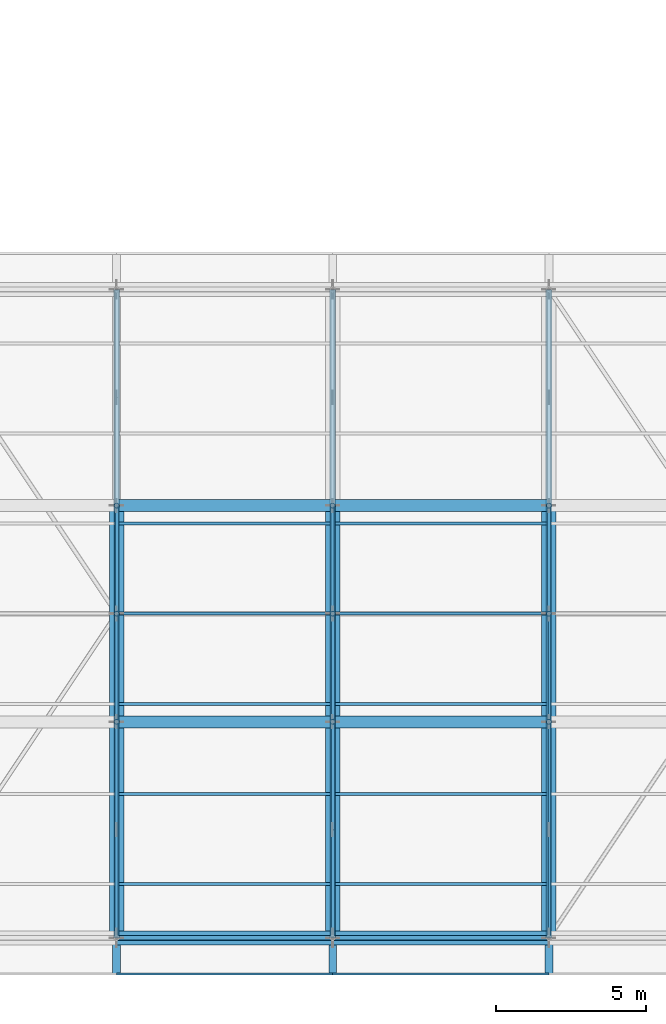
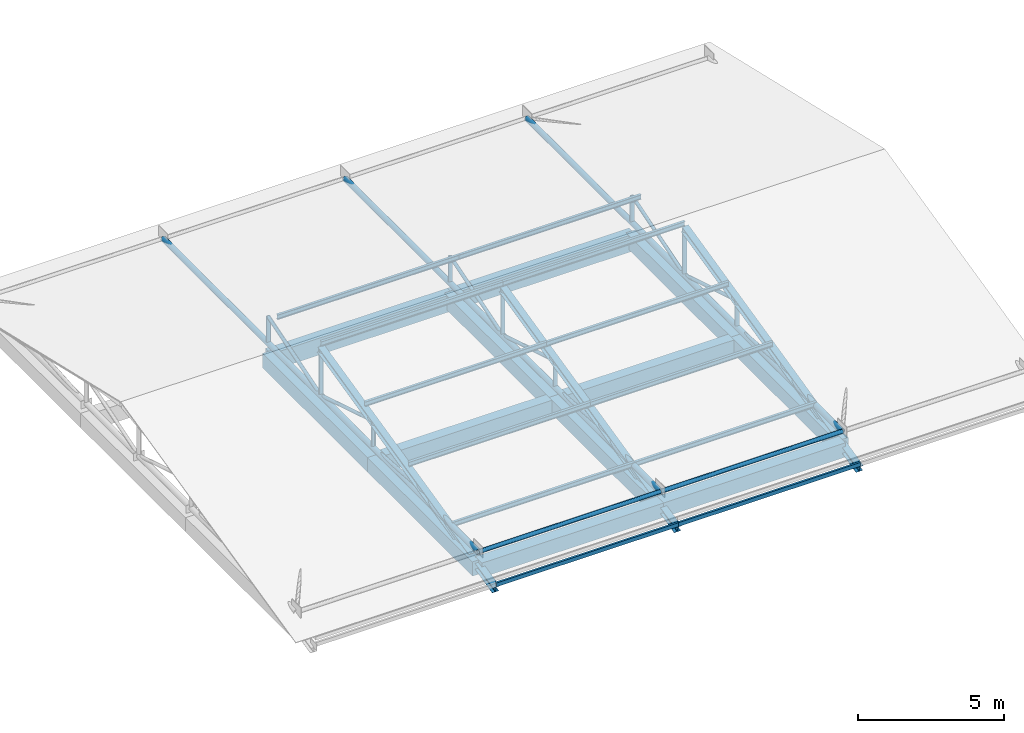
# One storey, part 19 of 84: 41 members, 12 beams.
"""IFC4 building model written with IfcOpenShell, lengths in metres."""

from ifc_helpers import new_model, si_unit, direction, frame, origin, origin_2d, place, context, subcontext, project, spatial, rectangle, hollow_rectangle, hollow_circle, i_section, extrude, material, material_profile, profile_set, type_object, element, save


model = new_model("IFC4")

# Units and contexts
model_context = context("Model", 3, precision=1e-05, world=origin(), true_north=direction((0.0, 1.0)))
body_context = subcontext(model_context, "Body", "Model", "MODEL_VIEW")
ifc_project = project(units=[si_unit("LENGTHUNIT", "METRE"), si_unit("AREAUNIT", "SQUARE_METRE"), si_unit("VOLUMEUNIT", "CUBIC_METRE"), si_unit("PLANEANGLEUNIT", "RADIAN"), si_unit("MASSUNIT", "GRAM", prefix="KILO")], contexts=[model_context])

# Site, building, storey
site_placement = place(None, origin())
site = spatial("IfcSite", under=ifc_project, at=site_placement, CompositionType="ELEMENT")
building_placement = place(site_placement, origin())
building = spatial("IfcBuilding", under=site, at=building_placement, Name="Zornivar Specialist Clinic", CompositionType="ELEMENT")
storey_placement = place(building_placement, frame((0.0, 0.0, 12.300048828125)))
storey = spatial("IfcBuildingStorey", under=building, at=storey_placement, Name="L03", CompositionType="ELEMENT", Elevation=12.300048828125)

# Beams
ifc_material_1 = material(Name="Concrete C30/37", Category="concrete")
ifc_material_profile_1 = material_profile(ifc_material_1, rectangle(XDim=0.39990234375, YDim=0.699951171875, at=origin_2d()), Name="RC 400x700")
ifc_profile_set_1 = profile_set([ifc_material_profile_1], Name="Concrete C30/37")
beam_type_1 = type_object("IfcBeamType", Name="BM-RC-400x700", PredefinedType="BEAM", material=ifc_profile_set_1)
for number, where, z_axis, x_axis, name in (
    (1, (64.800048828125, 7.199951171875, -0.35009765625), (1.0, 0.0, 0.0), (0.0, 1.0, 0.0), "bm:V3:L03:x:72:1"),
    (2, (72.0, 7.199951171875, -0.35009765625), (1.0, 0.0, 0.0), (0.0, 1.0, 0.0), "bm:V3:L03:x:72:2"),
    (3, (64.800048828125, 14.39990234375, -0.35009765625), (1.0, 0.0, 0.0), (0.0, 1.0, 0.0), "bm:V3:L03:x:144:1"),
    (4, (72.0, 14.39990234375, -0.35009765625), (1.0, 0.0, 0.0), (0.0, 1.0, 0.0), "bm:V3:L03:x:144:2"),
):
    element("IfcBeam", number, at=place(storey_placement, frame(where, z_axis=z_axis, x_axis=x_axis)), inside=storey, type_object=beam_type_1, Name=name, PredefinedType="BEAM", context=body_context, shape_type="SweptSolid", body=[
        extrude(rectangle(XDim=0.39990234375, YDim=0.699951171875, at=origin_2d()), origin(), (0.0, 0.0, 1.0), 7.199951171875),
    ])
ifc_material_2 = material(Name="Concrete C30/37", Category="concrete")
ifc_material_profile_2 = material_profile(ifc_material_2, rectangle(XDim=0.47998046875, YDim=0.60009765625, at=origin_2d()), Name="RC 480x600")
ifc_profile_set_2 = profile_set([ifc_material_profile_2], Name="Concrete C30/37")
beam_type_2 = type_object("IfcBeamType", Name="BM-RC-480x600", PredefinedType="BEAM", material=ifc_profile_set_2)
for number, where, z_axis, x_axis, name in (
    (5, (64.800048828125, 0.0, -0.300048828125), (0.0, 1.0, 0.0), (-1.0, 0.0, 0.0), "bm:V3:L03:y:648:0"),
    (6, (64.800048828125, 7.199951171875, -0.300048828125), (0.0, 1.0, 0.0), (-1.0, 0.0, 0.0), "bm:V3:L03:y:648:1"),
    (7, (72.0, 0.0, -0.300048828125), (0.0, 1.0, 0.0), (-1.0, 0.0, 0.0), "bm:V3:L03:y:720:0"),
    (8, (72.0, 7.199951171875, -0.300048828125), (0.0, 1.0, 0.0), (-1.0, 0.0, 0.0), "bm:V3:L03:y:720:1"),
    (9, (79.199951171875, 0.0, -0.300048828125), (0.0, 1.0, 0.0), (-1.0, 0.0, 0.0), "bm:V3:L03:y:792:0"),
    (10, (79.199951171875, 7.199951171875, -0.300048828125), (0.0, 1.0, 0.0), (-1.0, 0.0, 0.0), "bm:V3:L03:y:792:1"),
):
    element("IfcBeam", number, at=place(storey_placement, frame(where, z_axis=z_axis, x_axis=x_axis)), inside=storey, type_object=beam_type_2, Name=name, PredefinedType="BEAM", context=body_context, shape_type="SweptSolid", body=[
        extrude(rectangle(XDim=0.47998046875, YDim=0.60009765625, at=origin_2d()), origin(), (0.0, 0.0, 1.0), 7.199951171875),
    ])
ifc_material_3 = material(Name="Concrete C30/37", Category="concrete")
ifc_material_profile_3 = material_profile(ifc_material_3, rectangle(XDim=0.4599609375, YDim=0.60009765625, at=origin_2d()), Name="RC 460x600")
ifc_profile_set_3 = profile_set([ifc_material_profile_3], Name="Concrete C30/37")
beam_type_3 = type_object("IfcBeamType", Name="BM-RC-SPANDREL-460x600", PredefinedType="SPANDREL", material=ifc_profile_set_3)
for number, where, z_axis, x_axis, name in (
    (11, (64.800048828125, 0.0, -0.300048828125), (1.0, 0.0, 0.0), (0.0, 1.0, 0.0), "bm:V3:L03:x:0:1"),
    (12, (72.0, 0.0, -0.300048828125), (1.0, 0.0, 0.0), (0.0, 1.0, 0.0), "bm:V3:L03:x:0:2"),
):
    element("IfcBeam", number, at=place(storey_placement, frame(where, z_axis=z_axis, x_axis=x_axis)), inside=storey, type_object=beam_type_3, Name=name, PredefinedType="SPANDREL", context=body_context, shape_type="SweptSolid", body=[
        extrude(rectangle(XDim=0.4599609375, YDim=0.60009765625, at=origin_2d()), origin(), (0.0, 0.0, 1.0), 7.199951171875),
    ])

# Members
ifc_material_4 = material(Name="Steel S355J2", Category="steel")
ifc_material_profile_4 = material_profile(ifc_material_4, hollow_circle(Radius=0.109619140625, WallThickness=0.012451171875, at=origin_2d()), Name="CHS 219.1x12.5")
ifc_profile_set_4 = profile_set([ifc_material_profile_4], Name="Steel S355J2")
member_type_1 = type_object("IfcMemberType", Name="MEM-CHORD-CHS219", PredefinedType="CHORD", material=ifc_profile_set_4)
for number, where, z_axis, x_axis, name in (
    (13, (64.800048828125, 0.0, 0.33984375), (0.0, 1.0, 0.0), (-1.0, 0.0, 0.0), "mem:V3:L03:bchord:1"),
    (14, (72.0, 0.0, 0.33984375), (0.0, 1.0, 0.0), (-1.0, 0.0, 0.0), "mem:V3:L03:bchord:2"),
    (15, (79.199951171875, 0.0, 0.33984375), (0.0, 1.0, 0.0), (-1.0, 0.0, 0.0), "mem:V3:L03:bchord:3"),
):
    element("IfcMember", number, at=place(storey_placement, frame(where, z_axis=z_axis, x_axis=x_axis)), inside=storey, type_object=member_type_1, Name=name, PredefinedType="CHORD", context=body_context, shape_type="SweptSolid", body=[
        extrude(hollow_circle(Radius=0.109619140625, WallThickness=0.012451171875, at=origin_2d()), origin(), (0.0, 0.0, 1.0), 21.60009765625),
    ])
ifc_material_5 = material(Name="Steel S355J2", Category="steel")
ifc_material_profile_5 = material_profile(ifc_material_5, i_section(OverallWidth=0.260009765625, OverallDepth=0.25, WebThickness=0.007568359375, FlangeThickness=0.012451171875, FilletRadius=0.02392578125, at=origin_2d()), Name="HEA 260")
ifc_profile_set_5 = profile_set([ifc_material_profile_5], Name="Steel S355J2")
member_type_2 = type_object("IfcMemberType", Name="MEM-CHORD-HEA260", PredefinedType="CHORD", material=ifc_profile_set_5)
for number, where, z_axis, x_axis, name in (
    (16, (64.800048828125, -1.199951171875, -0.510009765625), (0.0, 0.973840332876, 0.227233373571), (-1.0, 0.0, 0.0), "mem:V3:L03:rafS:1"),
    (17, (72.0, -1.199951171875, -0.510009765625), (0.0, 0.973840332876, 0.227233373571), (-1.0, 0.0, 0.0), "mem:V3:L03:rafS:2"),
    (18, (79.199951171875, -1.199951171875, -0.510009765625), (0.0, 0.973840332876, 0.227233373571), (-1.0, 0.0, 0.0), "mem:V3:L03:rafS:3"),
):
    element("IfcMember", number, at=place(storey_placement, frame(where, z_axis=z_axis, x_axis=x_axis)), inside=storey, type_object=member_type_2, Name=name, PredefinedType="CHORD", context=body_context, shape_type="SweptSolid", body=[
        extrude(i_section(OverallWidth=0.260009765625, OverallDepth=0.25, WebThickness=0.007568359375, FlangeThickness=0.012451171875, FilletRadius=0.02392578125, at=origin_2d()), origin(), (0.0, 0.0, 1.0), 12.322265625),
    ])
ifc_material_6 = material(Name="Steel S355J2", Category="steel")
ifc_material_profile_6 = material_profile(ifc_material_6, hollow_circle(Radius=0.06982421875, WallThickness=0.008056640625, at=origin_2d()), Name="CHS 139.7x8")
ifc_profile_set_6 = profile_set([ifc_material_profile_6], Name="Steel S355J2")
member_type_3 = type_object("IfcMemberType", Name="MEM-DIAG-CHS140", PredefinedType="BRACE", material=ifc_profile_set_6)
member_1_placement = place(storey_placement, frame((64.800048828125, 10.800048828125, 0.33984375), z_axis=(0.0, -0.955600885264, 0.29466412758), x_axis=(1.0, 0.0, 0.0)))
element("IfcMember", 19, at=member_1_placement, inside=storey, type_object=member_type_3, Name="mem:V3:L03:diag:1:S:0", PredefinedType="BRACE", context=body_context, shape_type="SweptSolid", body=[
    extrude(hollow_circle(Radius=0.06982421875, WallThickness=0.008056640625, at=origin_2d()), origin(), (0.0, 0.0, 1.0), 3.767333984375),
])
member_2_placement = place(storey_placement, frame((64.800048828125, 7.199951171875, 0.33984375), z_axis=(0.0, -0.997198679372, 0.074798354655), x_axis=(1.0, 0.0, 0.0)))
element("IfcMember", 20, at=member_2_placement, inside=storey, type_object=member_type_3, Name="mem:V3:L03:diag:1:S:1", PredefinedType="BRACE", context=body_context, shape_type="SweptSolid", body=[
    extrude(hollow_circle(Radius=0.06982421875, WallThickness=0.008056640625, at=origin_2d()), origin(), (0.0, 0.0, 1.0), 3.60986328125),
])
member_3_placement = place(storey_placement, frame((64.800048828125, 10.800048828125, 0.33984375), z_axis=(0.0, 0.955595258001, 0.294682376272), x_axis=(-1.0, 0.0, 0.0)))
element("IfcMember", 21, at=member_3_placement, inside=storey, type_object=member_type_3, Name="mem:V3:L03:diag:1:N:0", PredefinedType="BRACE", context=body_context, shape_type="SweptSolid", body=[
    extrude(hollow_circle(Radius=0.06982421875, WallThickness=0.008056640625, at=origin_2d()), origin(), (0.0, 0.0, 1.0), 3.76708984375),
])
member_4_placement = place(storey_placement, frame((72.0, 10.800048828125, 0.33984375), z_axis=(0.0, -0.955600885264, 0.29466412758), x_axis=(1.0, 0.0, 0.0)))
element("IfcMember", 22, at=member_4_placement, inside=storey, type_object=member_type_3, Name="mem:V3:L03:diag:2:S:0", PredefinedType="BRACE", context=body_context, shape_type="SweptSolid", body=[
    extrude(hollow_circle(Radius=0.06982421875, WallThickness=0.008056640625, at=origin_2d()), origin(), (0.0, 0.0, 1.0), 3.767333984375),
])
member_5_placement = place(storey_placement, frame((72.0, 7.199951171875, 0.33984375), z_axis=(0.0, -0.997198679372, 0.074798354655), x_axis=(1.0, 0.0, 0.0)))
element("IfcMember", 23, at=member_5_placement, inside=storey, type_object=member_type_3, Name="mem:V3:L03:diag:2:S:1", PredefinedType="BRACE", context=body_context, shape_type="SweptSolid", body=[
    extrude(hollow_circle(Radius=0.06982421875, WallThickness=0.008056640625, at=origin_2d()), origin(), (0.0, 0.0, 1.0), 3.60986328125),
])
member_6_placement = place(storey_placement, frame((72.0, 10.800048828125, 0.33984375), z_axis=(0.0, 0.955595258001, 0.294682376272), x_axis=(-1.0, 0.0, 0.0)))
element("IfcMember", 24, at=member_6_placement, inside=storey, type_object=member_type_3, Name="mem:V3:L03:diag:2:N:0", PredefinedType="BRACE", context=body_context, shape_type="SweptSolid", body=[
    extrude(hollow_circle(Radius=0.06982421875, WallThickness=0.008056640625, at=origin_2d()), origin(), (0.0, 0.0, 1.0), 3.76708984375),
])
member_7_placement = place(storey_placement, frame((79.199951171875, 10.800048828125, 0.33984375), z_axis=(0.0, -0.955600885264, 0.29466412758), x_axis=(1.0, 0.0, 0.0)))
element("IfcMember", 25, at=member_7_placement, inside=storey, type_object=member_type_3, Name="mem:V3:L03:diag:3:S:0", PredefinedType="BRACE", context=body_context, shape_type="SweptSolid", body=[
    extrude(hollow_circle(Radius=0.06982421875, WallThickness=0.008056640625, at=origin_2d()), origin(), (0.0, 0.0, 1.0), 3.767333984375),
])
member_8_placement = place(storey_placement, frame((79.199951171875, 7.199951171875, 0.33984375), z_axis=(0.0, -0.997198679372, 0.074798354655), x_axis=(1.0, 0.0, 0.0)))
element("IfcMember", 26, at=member_8_placement, inside=storey, type_object=member_type_3, Name="mem:V3:L03:diag:3:S:1", PredefinedType="BRACE", context=body_context, shape_type="SweptSolid", body=[
    extrude(hollow_circle(Radius=0.06982421875, WallThickness=0.008056640625, at=origin_2d()), origin(), (0.0, 0.0, 1.0), 3.60986328125),
])
member_9_placement = place(storey_placement, frame((79.199951171875, 10.800048828125, 0.33984375), z_axis=(0.0, 0.955595258001, 0.294682376272), x_axis=(-1.0, 0.0, 0.0)))
element("IfcMember", 27, at=member_9_placement, inside=storey, type_object=member_type_3, Name="mem:V3:L03:diag:3:N:0", PredefinedType="BRACE", context=body_context, shape_type="SweptSolid", body=[
    extrude(hollow_circle(Radius=0.06982421875, WallThickness=0.008056640625, at=origin_2d()), origin(), (0.0, 0.0, 1.0), 3.76708984375),
])
ifc_material_7 = material(Name="Steel S355J2", Category="steel")
ifc_material_profile_7 = material_profile(ifc_material_7, hollow_circle(Radius=0.06982421875, WallThickness=0.010009765625, at=origin_2d()), Name="CHS 139.7x10")
ifc_profile_set_7 = profile_set([ifc_material_profile_7], Name="Steel S355J2")
member_type_4 = type_object("IfcMemberType", Name="MEM-DIAG-CHS140H", PredefinedType="BRACE", material=ifc_profile_set_7)
for number, where, z_axis, x_axis, name in (
    (28, (64.800048828125, 3.60009765625, 0.33984375), (0.0, -0.987704241702, -0.156334036358), (1.0, 0.0, 0.0), "mem:V3:L03:diag:1:S:2"),
    (29, (72.0, 3.60009765625, 0.33984375), (0.0, -0.987704241702, -0.156334036358), (1.0, 0.0, 0.0), "mem:V3:L03:diag:2:S:2"),
    (30, (79.199951171875, 3.60009765625, 0.33984375), (0.0, -0.987704241702, -0.156334036358), (1.0, 0.0, 0.0), "mem:V3:L03:diag:3:S:2"),
):
    element("IfcMember", number, at=place(storey_placement, frame(where, z_axis=z_axis, x_axis=x_axis)), inside=storey, type_object=member_type_4, Name=name, PredefinedType="BRACE", context=body_context, shape_type="SweptSolid", body=[
        extrude(hollow_circle(Radius=0.06982421875, WallThickness=0.010009765625, at=origin_2d()), origin(), (0.0, 0.0, 1.0), 3.64501953125),
    ])
ifc_material_8 = material(Name="Steel S355J2", Category="steel")
ifc_material_profile_8 = material_profile(ifc_material_8, hollow_rectangle(XDim=0.080078125, YDim=0.159912109375, WallThickness=0.008056640625, at=origin_2d()), Name="RHS 160x80x8")
ifc_profile_set_8 = profile_set([ifc_material_profile_8], Name="Steel S355J2")
member_type_5 = type_object("IfcMemberType", Name="MEM-EAVE-RHS160", PredefinedType="USERDEFINED", material=ifc_profile_set_8)
for number, where, z_axis, x_axis, name in (
    (31, (64.800048828125, -1.199951171875, -0.296142578125), (1.0, 0.0, 0.0), (0.0, 1.0, 0.0), "mem:V3:L03:purl:1:00"),
    (32, (72.0, -1.199951171875, -0.296142578125), (1.0, 0.0, 0.0), (0.0, 1.0, 0.0), "mem:V3:L03:purl:2:00"),
):
    element("IfcMember", number, at=place(storey_placement, frame(where, z_axis=z_axis, x_axis=x_axis)), inside=storey, type_object=member_type_5, Name=name, ObjectType="EAVE RAFTER", PredefinedType="USERDEFINED", context=body_context, shape_type="SweptSolid", body=[
        extrude(hollow_rectangle(XDim=0.080078125, YDim=0.159912109375, WallThickness=0.008056640625, at=origin_2d()), origin(), (0.0, 0.0, 1.0), 7.199951171875),
    ])
ifc_material_9 = material(Name="Steel S355J2", Category="steel")
ifc_material_profile_9 = material_profile(ifc_material_9, hollow_circle(Radius=0.084228515625, WallThickness=0.012451171875, at=origin_2d()), Name="CHS 168.3x12.5")
ifc_profile_set_9 = profile_set([ifc_material_profile_9], Name="Steel S355J2")
member_type_6 = type_object("IfcMemberType", Name="MEM-KING-CHS168H", PredefinedType="STRUT", material=ifc_profile_set_9)
for number, where, z_axis, x_axis, name in (
    (33, (64.800048828125, 10.800048828125, 0.33984375), (0.0, 0.0, 1.0), (1.0, 0.0, 0.0), "mem:V3:L03:king:1"),
    (34, (72.0, 10.800048828125, 0.33984375), (0.0, 0.0, 1.0), (1.0, 0.0, 0.0), "mem:V3:L03:king:2"),
    (35, (79.199951171875, 10.800048828125, 0.33984375), (0.0, 0.0, 1.0), (1.0, 0.0, 0.0), "mem:V3:L03:king:3"),
):
    element("IfcMember", number, at=place(storey_placement, frame(where, z_axis=z_axis, x_axis=x_axis)), inside=storey, type_object=member_type_6, Name=name, PredefinedType="STRUT", context=body_context, shape_type="SweptSolid", body=[
        extrude(hollow_circle(Radius=0.084228515625, WallThickness=0.012451171875, at=origin_2d()), origin(), (0.0, 0.0, 1.0), 1.9501953125),
    ])
ifc_material_10 = material(Name="Steel S355J2", Category="steel")
ifc_material_profile_10 = material_profile(ifc_material_10, i_section(OverallWidth=0.10009765625, OverallDepth=0.199951171875, WebThickness=0.005615234375, FlangeThickness=0.008544921875, FilletRadius=0.011962890625, at=origin_2d()), Name="IPE 200")
ifc_profile_set_10 = profile_set([ifc_material_profile_10], Name="Steel S355J2")
member_type_7 = type_object("IfcMemberType", Name="MEM-PURLIN-IPE200", PredefinedType="PURLIN", material=ifc_profile_set_10)
for number, where, z_axis, x_axis, name in (
    (36, (64.800048828125, 1.800048828125, 0.404052734375), (1.0, 0.0, 0.0), (0.0, 1.0, 0.0), "mem:V3:L03:purl:1:01"),
    (37, (64.800048828125, 4.800048828125, 1.10400390625), (1.0, 0.0, 0.0), (0.0, 1.0, 0.0), "mem:V3:L03:purl:1:02"),
    (38, (64.800048828125, 7.800048828125, 1.803955078125), (1.0, 0.0, 0.0), (0.0, 1.0, 0.0), "mem:V3:L03:purl:1:03"),
    (39, (64.800048828125, 10.800048828125, 2.50390625), (1.0, 0.0, 0.0), (0.0, 1.0, 0.0), "mem:V3:L03:purl:1:04"),
    (40, (64.800048828125, 13.800048828125, 1.803955078125), (1.0, 0.0, 0.0), (0.0, 1.0, 0.0), "mem:V3:L03:purl:1:05"),
    (41, (72.0, 1.800048828125, 0.404052734375), (1.0, 0.0, 0.0), (0.0, 1.0, 0.0), "mem:V3:L03:purl:2:01"),
    (42, (72.0, 4.800048828125, 1.10400390625), (1.0, 0.0, 0.0), (0.0, 1.0, 0.0), "mem:V3:L03:purl:2:02"),
    (43, (72.0, 7.800048828125, 1.803955078125), (1.0, 0.0, 0.0), (0.0, 1.0, 0.0), "mem:V3:L03:purl:2:03"),
    (44, (72.0, 10.800048828125, 2.50390625), (1.0, 0.0, 0.0), (0.0, 1.0, 0.0), "mem:V3:L03:purl:2:04"),
    (45, (72.0, 13.800048828125, 1.803955078125), (1.0, 0.0, 0.0), (0.0, 1.0, 0.0), "mem:V3:L03:purl:2:05"),
):
    element("IfcMember", number, at=place(storey_placement, frame(where, z_axis=z_axis, x_axis=x_axis)), inside=storey, type_object=member_type_7, Name=name, PredefinedType="PURLIN", context=body_context, shape_type="SweptSolid", body=[
        extrude(i_section(OverallWidth=0.10009765625, OverallDepth=0.199951171875, WebThickness=0.005615234375, FlangeThickness=0.008544921875, FilletRadius=0.011962890625, at=origin_2d()), origin(), (0.0, 0.0, 1.0), 7.199951171875),
    ])
ifc_material_11 = material(Name="Steel S355J2", Category="steel")
ifc_material_profile_11 = material_profile(ifc_material_11, hollow_circle(Radius=0.084228515625, WallThickness=0.010009765625, at=origin_2d()), Name="CHS 168.3x10")
ifc_profile_set_11 = profile_set([ifc_material_profile_11], Name="Steel S355J2")
member_type_8 = type_object("IfcMemberType", Name="MEM-STRUT-CHS168", PredefinedType="STRUT", material=ifc_profile_set_11)
for number, where, z_axis, x_axis, name in (
    (46, (64.800048828125, 7.199951171875, 0.33984375), (0.0, 0.0, 1.0), (1.0, 0.0, 0.0), "mem:V3:L03:vert:1:S:1"),
    (47, (64.800048828125, 14.39990234375, 0.33984375), (0.0, 0.0, 1.0), (1.0, 0.0, 0.0), "mem:V3:L03:vert:1:N:1"),
    (48, (72.0, 7.199951171875, 0.33984375), (0.0, 0.0, 1.0), (1.0, 0.0, 0.0), "mem:V3:L03:vert:2:S:1"),
    (49, (72.0, 14.39990234375, 0.33984375), (0.0, 0.0, 1.0), (1.0, 0.0, 0.0), "mem:V3:L03:vert:2:N:1"),
    (50, (79.199951171875, 7.199951171875, 0.33984375), (0.0, 0.0, 1.0), (1.0, 0.0, 0.0), "mem:V3:L03:vert:3:S:1"),
    (51, (79.199951171875, 14.39990234375, 0.33984375), (0.0, 0.0, 1.0), (1.0, 0.0, 0.0), "mem:V3:L03:vert:3:N:1"),
):
    element("IfcMember", number, at=place(storey_placement, frame(where, z_axis=z_axis, x_axis=x_axis)), inside=storey, type_object=member_type_8, Name=name, PredefinedType="STRUT", context=body_context, shape_type="SweptSolid", body=[
        extrude(hollow_circle(Radius=0.084228515625, WallThickness=0.010009765625, at=origin_2d()), origin(), (0.0, 0.0, 1.0), 1.110107421875),
    ])
for number, where, z_axis, x_axis, name in (
    (52, (64.800048828125, 0.0, 0.33984375), (1.0, 0.0, 0.0), (0.0, 1.0, 0.0), "mem:V3:L03:ltieS:1"),
    (53, (72.0, 0.0, 0.33984375), (1.0, 0.0, 0.0), (0.0, 1.0, 0.0), "mem:V3:L03:ltieS:2"),
):
    element("IfcMember", number, at=place(storey_placement, frame(where, z_axis=z_axis, x_axis=x_axis)), inside=storey, type_object=member_type_8, Name=name, PredefinedType="STRUT", context=body_context, shape_type="SweptSolid", body=[
        extrude(hollow_circle(Radius=0.084228515625, WallThickness=0.010009765625, at=origin_2d()), origin(), (0.0, 0.0, 1.0), 7.199951171875),
    ])

save(model, "model.ifc")
